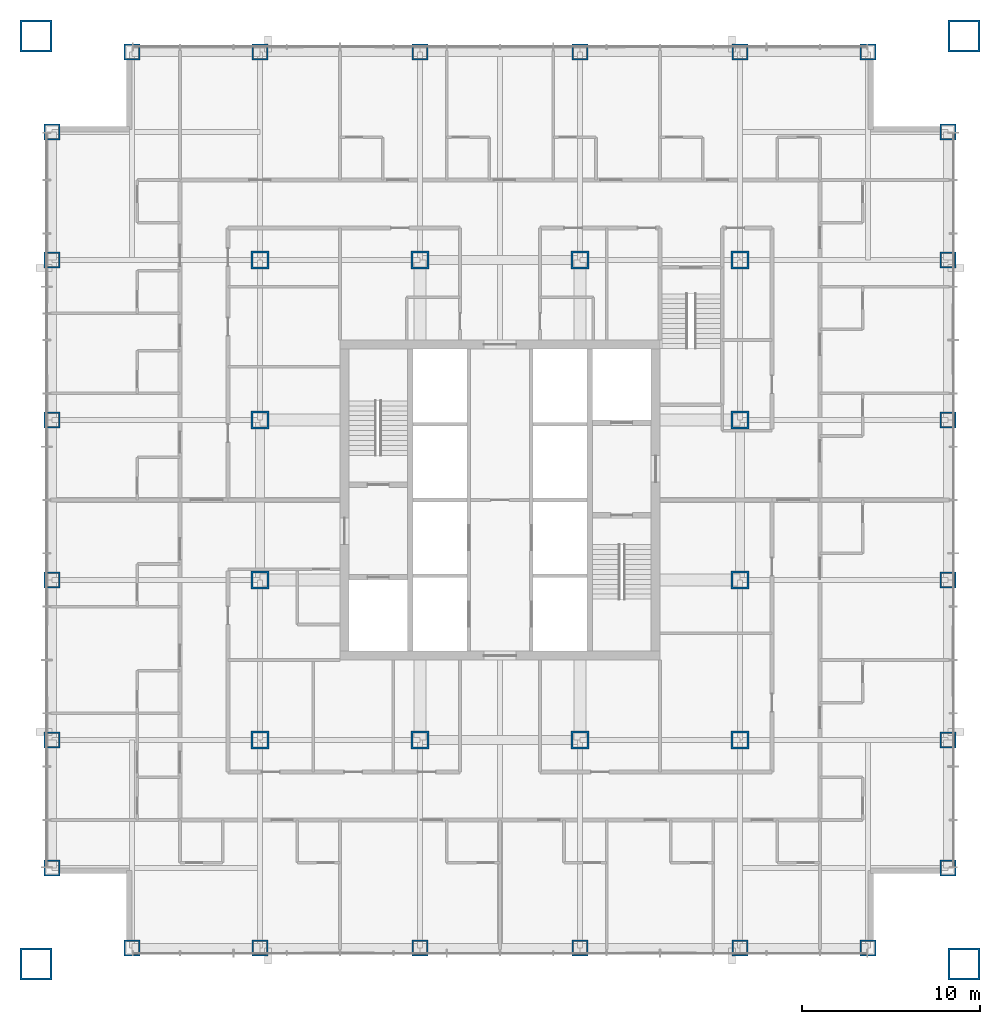
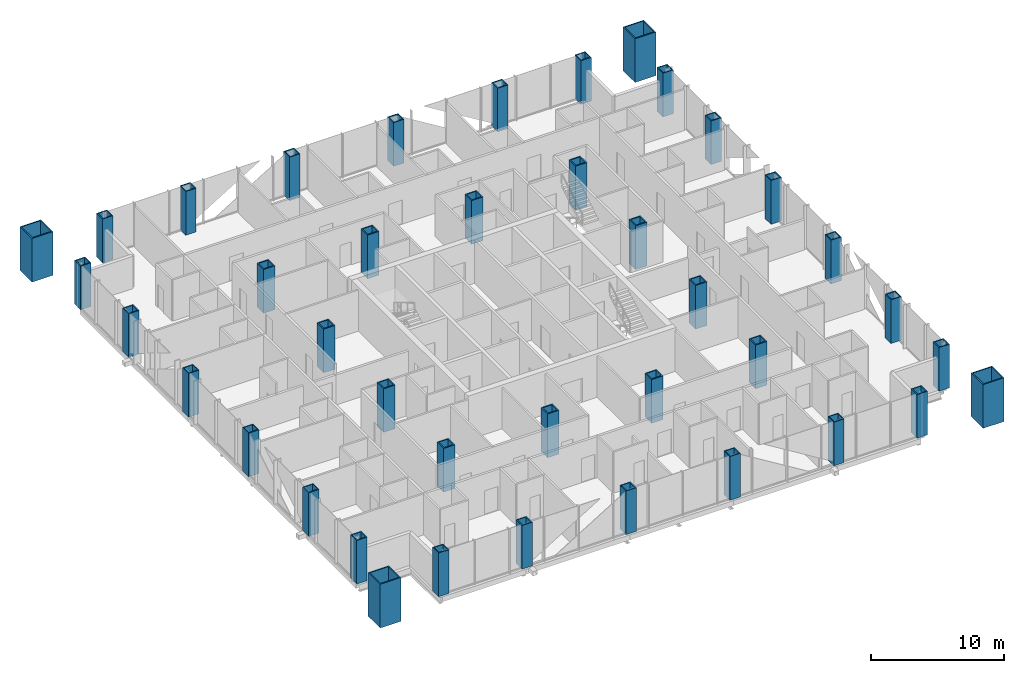
# One storey, part 1 of 14: 40 columns.
"""IFC4 building model written with IfcOpenShell, lengths in metres."""

from ifc_helpers import new_model, si_unit, direction, frame, origin, origin_2d, place, context, subcontext, project, spatial, hollow_rectangle, extrude, material, material_profile, profile_set, type_object, element, save


model = new_model("IFC4")

# Units and contexts
model_context = context("Model", 3, precision=1e-05, world=origin(), true_north=direction((0.0, 1.0)))
body_context = subcontext(model_context, "Body", "Model", "MODEL_VIEW")
ifc_project = project(units=[si_unit("LENGTHUNIT", "METRE"), si_unit("AREAUNIT", "SQUARE_METRE"), si_unit("VOLUMEUNIT", "CUBIC_METRE"), si_unit("PLANEANGLEUNIT", "RADIAN"), si_unit("MASSUNIT", "GRAM", prefix="KILO")], contexts=[model_context])

# Site, building, storey
site_placement = place(None, origin())
site = spatial("IfcSite", under=ifc_project, at=site_placement, CompositionType="ELEMENT")
building_placement = place(site_placement, origin())
building = spatial("IfcBuilding", under=site, at=building_placement, Name="Malebo Sky Hospital", CompositionType="ELEMENT")
storey_placement = place(building_placement, frame((0.0, 0.0, 71.0)))
storey = spatial("IfcBuildingStorey", under=building, at=storey_placement, Name="L16", CompositionType="ELEMENT", Elevation=71.0)

# Columns
ifc_material = material(Name="Steel S460", Category="steel")
ifc_material_profile_1 = material_profile(ifc_material, hollow_rectangle(XDim=1.0, YDim=1.0, WallThickness=0.10009765625, at=origin_2d()), Name="BOX 1000x1000x100")
ifc_profile_set_1 = profile_set([ifc_material_profile_1], Name="Steel S460")
column_type_1 = type_object("IfcColumnType", Name="INNER COLUMN BOX 1000x1000x100", PredefinedType="COLUMN", material=ifc_profile_set_1)
for number, where, z_axis, x_axis, name in (
    (1, (46.5, 48.5, 0.0), (0.0, 0.0, 1.0), (1.0, 0.0, 0.0), "Column IC9 L16"),
    (2, (73.5, 48.5, 0.0), (0.0, 0.0, 1.0), (1.0, 0.0, 0.0), "Column IC9 L16"),
    (3, (73.5, 75.5, 0.0), (0.0, 0.0, 1.0), (1.0, 0.0, 0.0), "Column IC9 L16"),
    (4, (46.5, 75.5, 0.0), (0.0, 0.0, 1.0), (1.0, 0.0, 0.0), "Column IC9 L16"),
    (5, (55.5, 48.5, 0.0), (0.0, 0.0, 1.0), (1.0, 0.0, 0.0), "Column IC9 L16"),
    (6, (64.5, 48.5, 0.0), (0.0, 0.0, 1.0), (1.0, 0.0, 0.0), "Column IC9 L16"),
    (7, (55.5, 75.5, 0.0), (0.0, 0.0, 1.0), (1.0, 0.0, 0.0), "Column IC9 L16"),
    (8, (64.5, 75.5, 0.0), (0.0, 0.0, 1.0), (1.0, 0.0, 0.0), "Column IC9 L16"),
    (9, (46.5, 57.5, 0.0), (0.0, 0.0, 1.0), (1.0, 0.0, 0.0), "Column IC9 L16"),
    (10, (46.5, 66.5, 0.0), (0.0, 0.0, 1.0), (1.0, 0.0, 0.0), "Column IC9 L16"),
    (11, (73.5, 57.5, 0.0), (0.0, 0.0, 1.0), (1.0, 0.0, 0.0), "Column IC9 L16"),
    (12, (73.5, 66.5, 0.0), (0.0, 0.0, 1.0), (1.0, 0.0, 0.0), "Column IC9 L16"),
):
    element("IfcColumn", number, at=place(storey_placement, frame(where, z_axis=z_axis, x_axis=x_axis)), inside=storey, type_object=column_type_1, Name=name, PredefinedType="COLUMN", context=body_context, shape_type="SweptSolid", body=[
        extrude(hollow_rectangle(XDim=1.0, YDim=1.0, WallThickness=0.10009765625, at=origin_2d()), origin(), (0.0, 0.0, 1.0), 4.0),
    ])
ifc_material_profile_2 = material_profile(ifc_material, hollow_rectangle(XDim=1.800048828125, YDim=1.800048828125, WallThickness=0.10009765625, at=origin_2d()), Name="BOX 1800x1800x100")
ifc_profile_set_2 = profile_set([ifc_material_profile_2], Name="Steel S460")
column_type_2 = type_object("IfcColumnType", Name="MEGA COLUMN BOX 1800x1800x100", PredefinedType="COLUMN", material=ifc_profile_set_2)
for number, where, z_axis, x_axis, name in (
    (13, (33.89990234375, 35.89990234375, 0.0), (0.0, 0.0, 1.0), (1.0, 0.0, 0.0), "Mega column SW L16"),
    (14, (86.10009765625, 35.89990234375, 0.0), (0.0, 0.0, 1.0), (1.0, 0.0, 0.0), "Mega column SE L16"),
    (15, (86.10009765625, 88.10009765625, 0.0), (0.0, 0.0, 1.0), (1.0, 0.0, 0.0), "Mega column NE L16"),
    (16, (33.89990234375, 88.10009765625, 0.0), (0.0, 0.0, 1.0), (1.0, 0.0, 0.0), "Mega column NW L16"),
):
    element("IfcColumn", number, at=place(storey_placement, frame(where, z_axis=z_axis, x_axis=x_axis)), inside=storey, type_object=column_type_2, Name=name, PredefinedType="COLUMN", context=body_context, shape_type="SweptSolid", body=[
        extrude(hollow_rectangle(XDim=1.800048828125, YDim=1.800048828125, WallThickness=0.10009765625, at=origin_2d()), origin(), (0.0, 0.0, 1.0), 4.0),
    ])
ifc_material_profile_3 = material_profile(ifc_material, hollow_rectangle(XDim=0.89990234375, YDim=0.89990234375, WallThickness=0.080078125, at=origin_2d()), Name="BOX 900x900x80")
ifc_profile_set_3 = profile_set([ifc_material_profile_3], Name="Steel S460")
column_type_3 = type_object("IfcColumnType", Name="PERIMETER COLUMN BOX 900x900x80", PredefinedType="COLUMN", material=ifc_profile_set_3)
for number, where, z_axis, x_axis, name in (
    (17, (39.300048828125, 36.800048828125, 0.0), (0.0, 0.0, 1.0), (1.0, 0.0, 0.0), "Column PC8 L16"),
    (18, (39.300048828125, 87.199951171875, 0.0), (0.0, 0.0, 1.0), (1.0, 0.0, 0.0), "Column PC8 L16"),
    (19, (34.800048828125, 41.300048828125, 0.0), (0.0, 0.0, 1.0), (1.0, 0.0, 0.0), "Column PC8 L16"),
    (20, (85.199951171875, 41.300048828125, 0.0), (0.0, 0.0, 1.0), (1.0, 0.0, 0.0), "Column PC8 L16"),
    (21, (46.5, 36.800048828125, 0.0), (0.0, 0.0, 1.0), (1.0, 0.0, 0.0), "Column PC8 L16"),
    (22, (46.5, 87.199951171875, 0.0), (0.0, 0.0, 1.0), (1.0, 0.0, 0.0), "Column PC8 L16"),
    (23, (34.800048828125, 48.5, 0.0), (0.0, 0.0, 1.0), (1.0, 0.0, 0.0), "Column PC8 L16"),
    (24, (85.199951171875, 48.5, 0.0), (0.0, 0.0, 1.0), (1.0, 0.0, 0.0), "Column PC8 L16"),
    (25, (55.5, 36.800048828125, 0.0), (0.0, 0.0, 1.0), (1.0, 0.0, 0.0), "Column PC8 L16"),
    (26, (55.5, 87.199951171875, 0.0), (0.0, 0.0, 1.0), (1.0, 0.0, 0.0), "Column PC8 L16"),
    (27, (34.800048828125, 57.5, 0.0), (0.0, 0.0, 1.0), (1.0, 0.0, 0.0), "Column PC8 L16"),
    (28, (85.199951171875, 57.5, 0.0), (0.0, 0.0, 1.0), (1.0, 0.0, 0.0), "Column PC8 L16"),
    (29, (64.5, 36.800048828125, 0.0), (0.0, 0.0, 1.0), (1.0, 0.0, 0.0), "Column PC8 L16"),
    (30, (64.5, 87.199951171875, 0.0), (0.0, 0.0, 1.0), (1.0, 0.0, 0.0), "Column PC8 L16"),
    (31, (34.800048828125, 66.5, 0.0), (0.0, 0.0, 1.0), (1.0, 0.0, 0.0), "Column PC8 L16"),
    (32, (85.199951171875, 66.5, 0.0), (0.0, 0.0, 1.0), (1.0, 0.0, 0.0), "Column PC8 L16"),
    (33, (73.5, 36.800048828125, 0.0), (0.0, 0.0, 1.0), (1.0, 0.0, 0.0), "Column PC8 L16"),
    (34, (73.5, 87.199951171875, 0.0), (0.0, 0.0, 1.0), (1.0, 0.0, 0.0), "Column PC8 L16"),
    (35, (34.800048828125, 75.5, 0.0), (0.0, 0.0, 1.0), (1.0, 0.0, 0.0), "Column PC8 L16"),
    (36, (85.199951171875, 75.5, 0.0), (0.0, 0.0, 1.0), (1.0, 0.0, 0.0), "Column PC8 L16"),
    (37, (80.699951171875, 36.800048828125, 0.0), (0.0, 0.0, 1.0), (1.0, 0.0, 0.0), "Column PC8 L16"),
    (38, (80.699951171875, 87.199951171875, 0.0), (0.0, 0.0, 1.0), (1.0, 0.0, 0.0), "Column PC8 L16"),
    (39, (34.800048828125, 82.699951171875, 0.0), (0.0, 0.0, 1.0), (1.0, 0.0, 0.0), "Column PC8 L16"),
    (40, (85.199951171875, 82.699951171875, 0.0), (0.0, 0.0, 1.0), (1.0, 0.0, 0.0), "Column PC8 L16"),
):
    element("IfcColumn", number, at=place(storey_placement, frame(where, z_axis=z_axis, x_axis=x_axis)), inside=storey, type_object=column_type_3, Name=name, PredefinedType="COLUMN", context=body_context, shape_type="SweptSolid", body=[
        extrude(hollow_rectangle(XDim=0.89990234375, YDim=0.89990234375, WallThickness=0.080078125, at=origin_2d()), origin(), (0.0, 0.0, 1.0), 4.0),
    ])

save(model, "model.ifc")
